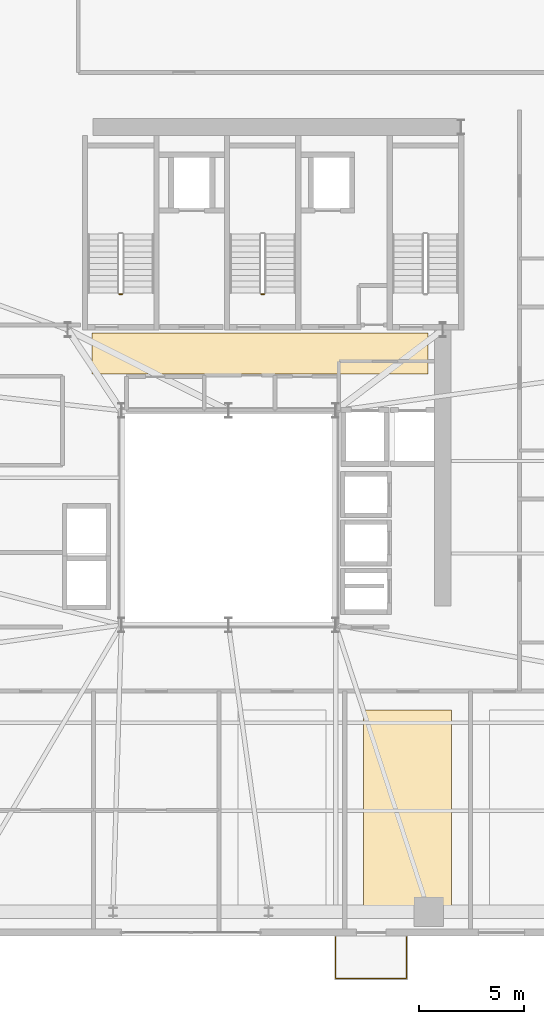
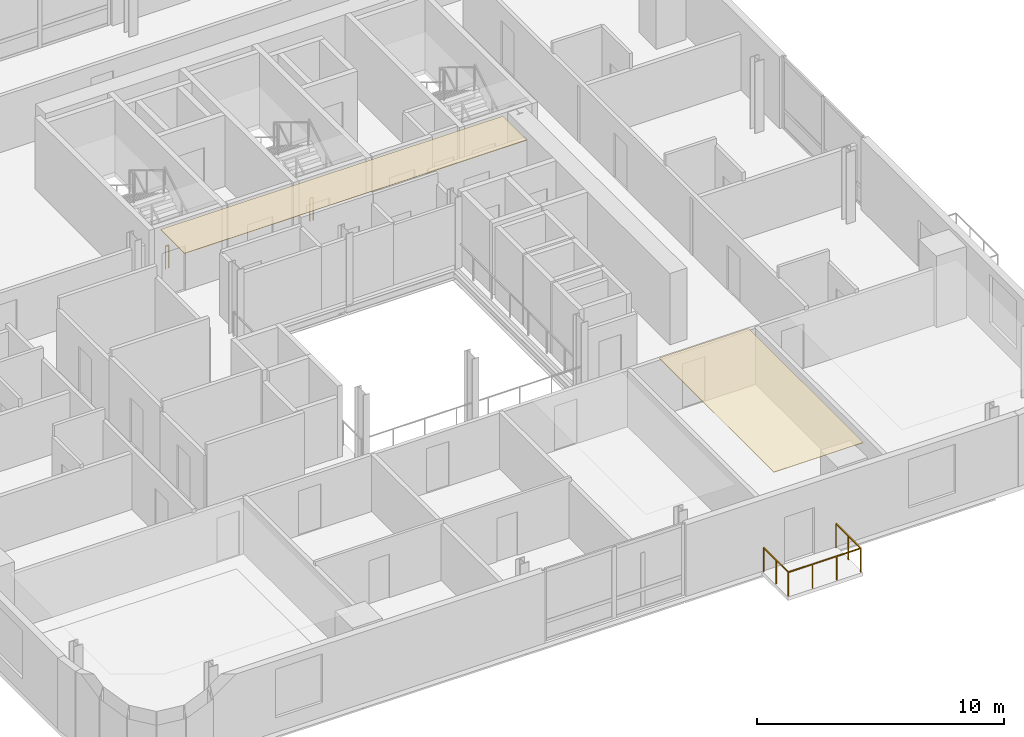
# One storey, part 13 of 15: 3 railings, 2 coverings.
"""IFC4 building model written with IfcOpenShell, lengths in metres."""

from ifc_helpers import new_model, si_unit, direction, frame, origin, origin_2d, place, context, subcontext, project, spatial, polyline, rectangle, outline, extrude, source, transform, mapped, material, layer, layer_set, type_object, element, save


model = new_model("IFC4")

# Units and contexts
model_context = context("Model", 3, precision=1e-05, world=origin(), true_north=direction((0.0, 1.0)))
body_context = subcontext(model_context, "Body", "Model", "MODEL_VIEW")
ifc_project = project(units=[si_unit("LENGTHUNIT", "METRE"), si_unit("AREAUNIT", "SQUARE_METRE"), si_unit("VOLUMEUNIT", "CUBIC_METRE"), si_unit("PLANEANGLEUNIT", "RADIAN"), si_unit("MASSUNIT", "GRAM", prefix="KILO")], contexts=[model_context])

# Site, building, storey
site_placement = place(None, origin())
site = spatial("IfcSite", under=ifc_project, at=site_placement, CompositionType="ELEMENT")
building_placement = place(site_placement, origin())
building = spatial("IfcBuilding", under=site, at=building_placement, Name="Vardaveli Station Tower", CompositionType="ELEMENT")
storey_placement = place(building_placement, frame((0.0, 0.0, 207.300048828125)))
storey = spatial("IfcBuildingStorey", under=building, at=storey_placement, Name="L53", CompositionType="ELEMENT", Elevation=207.300048828125)

# Coverings
ifc_material_1 = material(Name="Perforated acoustic mineral ceiling")
ifc_layer = layer(ifc_material_1, 0.02001953125, Name="Perforated acoustic mineral ceiling")
ifc_layer_set = layer_set([ifc_layer], Name="Perforated acoustic mineral ceiling")
covering_type = type_object("IfcCoveringType", Name="COV-CEIL-AC20", PredefinedType="CEILING", material=ifc_layer_set)
covering_1_placement = place(storey_placement, frame((0.0, 0.0, 3.514892578125)))
element("IfcCovering", 1, at=covering_1_placement, inside=storey, type_object=covering_type, Name="CEIL-L53-3", PredefinedType="CEILING", context=body_context, shape_type="SweptSolid", body=[
    extrude(outline(polyline([(42.737548828125, 3.25), (46.919921875, 3.25), (46.919921875, 12.550048828125), (42.737548828125, 12.550048828125), (42.737548828125, 3.25)])), origin(), (0.0, 0.0, 1.0), 0.02001953125),
])
covering_2_placement = place(storey_placement, frame((0.0, 0.0, 3.514892578125)))
element("IfcCovering", 2, at=covering_2_placement, inside=storey, type_object=covering_type, Name="CEIL-L53-5", PredefinedType="CEILING", context=body_context, shape_type="SweptSolid", body=[
    extrude(outline(polyline([(29.800048828125, 28.550048828125), (45.800048828125, 28.550048828125), (45.800048828125, 30.5), (29.800048828125, 30.5), (29.800048828125, 28.550048828125)])), origin(), (0.0, 0.0, 1.0), 0.02001953125),
])

# Railings
ifc_material_2 = material(Name="Laminated glass and stainless steel balustrade", Category="steel")
railing_type_1 = type_object("IfcRailingType", Name="RL-BAL-1200", PredefinedType="BALUSTRADE", material=ifc_material_2)
shared_shape_1 = source(origin(), body_context, "Body", "SweptSolid", [
    extrude(rectangle(XDim=0.048095703125, YDim=0.048095703125, at=origin_2d()), frame((0.0, 0.0, 1.17578125), z_axis=(0.0, -1.0, 0.0), x_axis=(1.0, 0.0, 0.0)), (0.0, 0.0, 1.0), 2.0),
    extrude(rectangle(XDim=0.048095703125, YDim=0.048095703125, at=origin_2d()), frame((0.0, -2.0, 1.17578125), z_axis=(1.0, 0.0, 0.0), x_axis=(0.0, 1.0, 0.0)), (0.0, 0.0, 1.0), 3.3798828125),
    extrude(rectangle(XDim=0.048095703125, YDim=0.048095703125, at=origin_2d()), frame((3.3798828125, -2.0, 1.17578125), z_axis=(0.0, 1.0, 0.0), x_axis=(-1.0, 0.0, 0.0)), (0.0, 0.0, 1.0), 2.0),
    extrude(rectangle(XDim=0.0419921875, YDim=0.0419921875, at=origin_2d()), origin(), (0.0, 0.0, 1.0), 1.15185546875),
    extrude(rectangle(XDim=0.0419921875, YDim=0.0419921875, at=origin_2d()), frame((0.0, -1.0, 0.0)), (0.0, 0.0, 1.0), 1.15185546875),
    extrude(rectangle(XDim=0.0419921875, YDim=0.0419921875, at=origin_2d()), frame((0.0, -2.0, 0.0)), (0.0, 0.0, 1.0), 1.15185546875),
    extrude(rectangle(XDim=0.0419921875, YDim=0.0419921875, at=origin_2d()), frame((1.126708984375, -2.0, 0.0)), (0.0, 0.0, 1.0), 1.15185546875),
    extrude(rectangle(XDim=0.0419921875, YDim=0.0419921875, at=origin_2d()), frame((2.253173828125, -2.0, 0.0)), (0.0, 0.0, 1.0), 1.15185546875),
    extrude(rectangle(XDim=0.0419921875, YDim=0.0419921875, at=origin_2d()), frame((3.3798828125, -2.0, 0.0)), (0.0, 0.0, 1.0), 1.15185546875),
    extrude(rectangle(XDim=0.0419921875, YDim=0.0419921875, at=origin_2d()), frame((3.3798828125, -1.0, 0.0)), (0.0, 0.0, 1.0), 1.15185546875),
    extrude(rectangle(XDim=0.0419921875, YDim=0.0419921875, at=origin_2d()), frame((3.3798828125, 0.0, 0.0)), (0.0, 0.0, 1.0), 1.15185546875),
])
railing_placement = place(storey_placement, frame((41.399658203125, 1.760009765625, 0.0)))
element("IfcRailing", 3, at=railing_placement, inside=storey, type_object=railing_type_1, Name="RL-LOG-L53-01", PredefinedType="BALUSTRADE", context=body_context, shape_type="MappedRepresentation", body=[
    mapped(shared_shape_1, transform((0.0, 0.0, 0.0), scale=1.0)),
])
ifc_material_3 = material(Name="Brushed AISI 316 stainless steel", Category="steel")
railing_type_2 = type_object("IfcRailingType", Name="RL-GUARD-1150", PredefinedType="GUARDRAIL", material=ifc_material_3)
shared_shape_2 = source(origin(), body_context, "Body", "SweptSolid", [
    extrude(rectangle(XDim=0.048095703125, YDim=0.048095703125, at=origin_2d()), frame((0.0, 0.0, 1.1259765625), z_axis=(-1.0, 0.0, 0.0), x_axis=(0.0, -1.0, 0.0)), (0.0, 0.0, 1.0), 0.14990234375),
    extrude(rectangle(XDim=0.0419921875, YDim=0.0419921875, at=origin_2d()), origin(), (0.0, 0.0, 1.0), 1.101806640625),
    extrude(rectangle(XDim=0.0419921875, YDim=0.0419921875, at=origin_2d()), frame((-0.14990234375, 0.0, 0.0)), (0.0, 0.0, 1.0), 1.101806640625),
])
for number, where, name in (
    (4, (31.25, 32.35009765625, 0.0), "L53 ST-1 stair guard 4"),
    (5, (38.0, 32.35009765625, 0.0), "L53 ST-2 stair guard 4"),
):
    element("IfcRailing", number, at=place(storey_placement, frame(where)), inside=storey, type_object=railing_type_2, Name=name, PredefinedType="GUARDRAIL", context=body_context, shape_type="MappedRepresentation", body=[
        mapped(shared_shape_2, transform((0.0, 0.0, 0.0), scale=1.0)),
    ])

save(model, "model.ifc")
